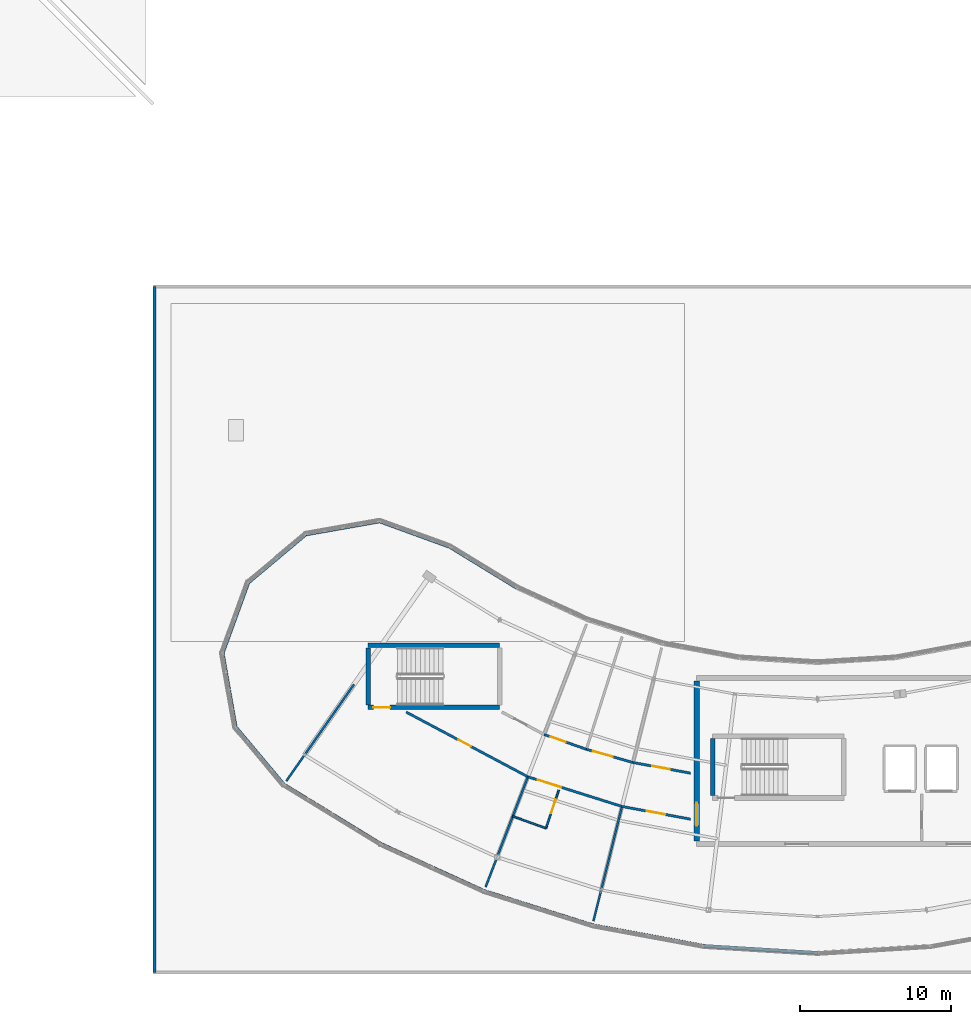
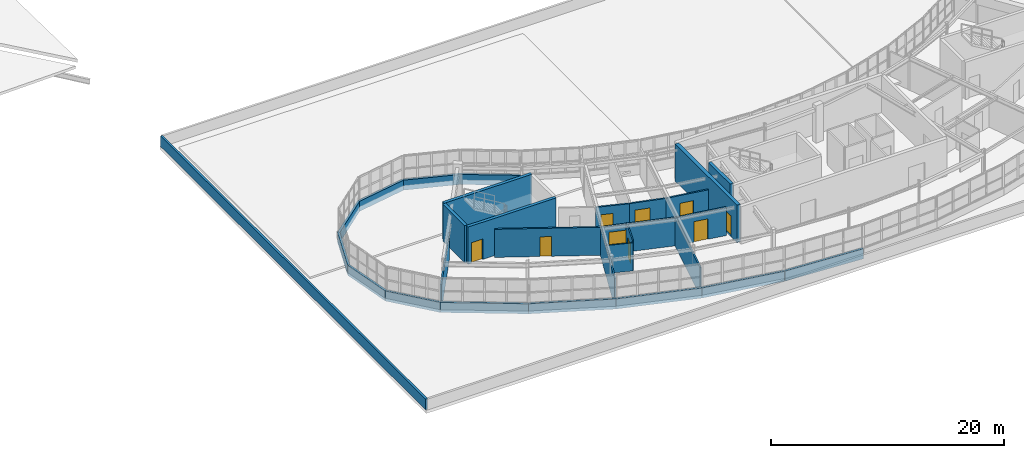
# One storey, part 101 of 128: 29 walls, 9 doors, 9 openings.
"""IFC4 building model written with IfcOpenShell, lengths in metres."""

from ifc_helpers import new_model, si_unit, direction, frame, frame_2d, origin, place, context, subcontext, project, spatial, rectangle, extrude, material, layer, layer_set, type_object, element, fill, save


model = new_model("IFC4")

# Units and contexts
model_context = context("Model", 3, precision=1e-05, world=origin(), true_north=direction((0.0, 1.0)))
body_context = subcontext(model_context, "Body", "Model", "MODEL_VIEW")
ifc_project = project(units=[si_unit("LENGTHUNIT", "METRE"), si_unit("AREAUNIT", "SQUARE_METRE"), si_unit("VOLUMEUNIT", "CUBIC_METRE"), si_unit("PLANEANGLEUNIT", "RADIAN"), si_unit("MASSUNIT", "GRAM", prefix="KILO")], contexts=[model_context])

# Site, building, storey
site_placement = place(None, origin())
site = spatial("IfcSite", under=ifc_project, at=site_placement, CompositionType="ELEMENT")
building_placement = place(site_placement, origin())
building = spatial("IfcBuilding", under=site, at=building_placement, Name="Tarnwether General Hospital", CompositionType="ELEMENT")
storey_placement = place(building_placement, frame((0.0, 0.0, 14.39990234375)))
storey = spatial("IfcBuildingStorey", under=building, at=storey_placement, Name="L03", CompositionType="ELEMENT", Elevation=14.39990234375)

# Walls
ifc_material_1 = material(Name="Streamlined white enamelled aluminium", Category="aluminium")
ifc_layer_1 = layer(ifc_material_1, 0.219970703125)
ifc_layer_set_1 = layer_set([ifc_layer_1], Name="Streamlined white enamelled aluminium")
wall_type_1 = type_object("IfcWallType", Name="WL-EX220", PredefinedType="STANDARD", material=ifc_layer_set_1)
wall_1_placement = place(storey_placement, frame((63.0810546875, 8.610107421875, 0.0), z_axis=(0.0, 0.0, 1.0), x_axis=(-0.852640903338, 0.522497358803, 0.0)))
element("IfcWall", 1, at=wall_1_placement, inside=storey, type_object=wall_type_1, Name="Ward SE Streamlined White Spandrel EW-L03-0155", PredefinedType="STANDARD", context=body_context, shape_type="SweptSolid", body=[
    extrude(rectangle(XDim=7.521484375, YDim=0.219970703125, at=frame_2d((3.7607421875, 0.0))), origin(), (0.0, 0.0, 1.0), 1.050048828125),
])
wall_2_placement = place(storey_placement, frame((69.925048828125, 5.490966796875, 0.0), z_axis=(0.0, 0.0, 1.0), x_axis=(-0.909953604353, 0.414710064895, 0.0)))
element("IfcWall", 2, at=wall_2_placement, inside=storey, type_object=wall_type_1, Name="Ward SE Streamlined White Spandrel EW-L03-0156", PredefinedType="STANDARD", context=body_context, shape_type="SweptSolid", body=[
    extrude(rectangle(XDim=7.521240234375, YDim=0.219970703125, at=frame_2d((3.7607421875, 0.0))), origin(), (0.0, 0.0, 1.0), 1.050048828125),
])
wall_3_placement = place(storey_placement, frame((77.097900390625, 3.22998046875, 0.0), z_axis=(0.0, 0.0, 1.0), x_axis=(-0.953740021466, 0.300632618747, 0.0)))
element("IfcWall", 3, at=wall_3_placement, inside=storey, type_object=wall_type_1, Name="Ward SE Streamlined White Spandrel EW-L03-0157", PredefinedType="STANDARD", context=body_context, shape_type="SweptSolid", body=[
    extrude(rectangle(XDim=7.520751953125, YDim=0.219970703125, at=frame_2d((3.76025390625, 0.0))), origin(), (0.0, 0.0, 1.0), 1.050048828125),
])
for number, where, z_axis, x_axis, name in (
    (4, (84.492919921875, 1.85888671875, 0.0), (0.0, 0.0, 1.0), (-0.983242805192, 0.18230081195, 0.0), "Ward SE Streamlined White Spandrel EW-L03-0158"),
    (5, (92.0, 1.39990234375, 0.0), (0.0, 0.0, 1.0), (-0.99813616181, 0.061026244242, 0.0), "Ward SE Streamlined White Spandrel EW-L03-0159"),
):
    element("IfcWall", number, at=place(storey_placement, frame(where, z_axis=z_axis, x_axis=x_axis)), inside=storey, type_object=wall_type_1, Name=name, PredefinedType="STANDARD", context=body_context, shape_type="SweptSolid", body=[
        extrude(rectangle(XDim=7.52099609375, YDim=0.219970703125, at=frame_2d((3.760498046875, 0.0))), origin(), (0.0, 0.0, 1.0), 1.050048828125),
    ])
wall_4_placement = place(storey_placement, frame((67.679931640625, 28.26806640625, 0.0), z_axis=(0.0, 0.0, 1.0), x_axis=(0.852628362135, -0.522517823698, 0.0)))
element("IfcWall", 6, at=wall_4_placement, inside=storey, type_object=wall_type_1, Name="Ward SE Streamlined White Spandrel EW-L03-0180", PredefinedType="STANDARD", context=body_context, shape_type="SweptSolid", body=[
    extrude(rectangle(XDim=5.177001953125, YDim=0.219970703125, at=frame_2d((2.58837890625, 0.0))), origin(), (0.0, 0.0, 1.0), 1.050048828125),
])
wall_5_placement = place(storey_placement, frame((63.010986328125, 29.968017578125, 0.0), z_axis=(0.0, 0.0, 1.0), x_axis=(0.939654190044, -0.34212571247, 0.0)))
element("IfcWall", 7, at=wall_5_placement, inside=storey, type_object=wall_type_1, Name="Ward SE Streamlined White Spandrel EW-L03-0181", PredefinedType="STANDARD", context=body_context, shape_type="SweptSolid", body=[
    extrude(rectangle(XDim=4.96875, YDim=0.219970703125, at=frame_2d((2.484375, 0.0))), origin(), (0.0, 0.0, 1.0), 1.050048828125),
])
wall_6_placement = place(storey_placement, frame((58.116943359375, 29.10498046875, 0.0), z_axis=(0.0, 0.0, 1.0), x_axis=(0.984804817938, 0.173664822479, 0.0)))
element("IfcWall", 8, at=wall_6_placement, inside=storey, type_object=wall_type_1, Name="Ward SE Streamlined White Spandrel EW-L03-0182", PredefinedType="STANDARD", context=body_context, shape_type="SweptSolid", body=[
    extrude(rectangle(XDim=4.969482421875, YDim=0.219970703125, at=frame_2d((2.48486328125, 0.0))), origin(), (0.0, 0.0, 1.0), 1.050048828125),
])
wall_7_placement = place(storey_placement, frame((54.31005859375, 25.909912109375, 0.0), z_axis=(0.0, 0.0, 1.0), x_axis=(0.765973821879, 0.642871763415, 0.0)))
element("IfcWall", 9, at=wall_7_placement, inside=storey, type_object=wall_type_1, Name="Ward SE Streamlined White Spandrel EW-L03-0183", PredefinedType="STANDARD", context=body_context, shape_type="SweptSolid", body=[
    extrude(rectangle(XDim=4.969970703125, YDim=0.219970703125, at=frame_2d((2.48486328125, 0.0))), origin(), (0.0, 0.0, 1.0), 1.050048828125),
])
wall_8_placement = place(storey_placement, frame((52.611083984375, 21.240966796875, 0.0), z_axis=(0.0, 0.0, 1.0), x_axis=(0.341952160632, 0.939717361678, 0.0)))
element("IfcWall", 10, at=wall_8_placement, inside=storey, type_object=wall_type_1, Name="Ward SE Streamlined White Spandrel EW-L03-0184", PredefinedType="STANDARD", context=body_context, shape_type="SweptSolid", body=[
    extrude(rectangle(XDim=4.968505859375, YDim=0.219970703125, at=frame_2d((2.484375, 0.0))), origin(), (0.0, 0.0, 1.0), 1.050048828125),
])
wall_9_placement = place(storey_placement, frame((53.472900390625, 16.346923828125, 0.0), z_axis=(0.0, 0.0, 1.0), x_axis=(-0.173426579259, 0.984846801085, 0.0)))
element("IfcWall", 11, at=wall_9_placement, inside=storey, type_object=wall_type_1, Name="Ward SE Streamlined White Spandrel EW-L03-0185", PredefinedType="STANDARD", context=body_context, shape_type="SweptSolid", body=[
    extrude(rectangle(XDim=4.96923828125, YDim=0.219970703125, at=frame_2d((2.484619140625, 0.0))), origin(), (0.0, 0.0, 1.0), 1.050048828125),
])
wall_10_placement = place(storey_placement, frame((56.66796875, 12.5400390625, 0.0), z_axis=(0.0, 0.0, 1.0), x_axis=(-0.642871763415, 0.765973821879, 0.0)))
element("IfcWall", 12, at=wall_10_placement, inside=storey, type_object=wall_type_1, Name="Ward SE Streamlined White Spandrel EW-L03-0186", PredefinedType="STANDARD", context=body_context, shape_type="SweptSolid", body=[
    extrude(rectangle(XDim=4.969970703125, YDim=0.219970703125, at=frame_2d((2.48486328125, 0.0))), origin(), (0.0, 0.0, 1.0), 1.050048828125),
])
ifc_material_2 = material(Name="Precast concrete 40 MPa", Category="concrete")
ifc_layer_2 = layer(ifc_material_2, 0.199951171875)
ifc_layer_set_2 = layer_set([ifc_layer_2], Name="Precast concrete 40 MPa")
wall_type_2 = type_object("IfcWallType", Name="WL-PR200", PredefinedType="PARAPET", material=ifc_layer_set_2)
wall_11_placement = place(storey_placement, frame((48.10009765625, 0.10009765625, 0.330078125), z_axis=(0.0, 0.0, 1.0), x_axis=(0.0, 1.0, 0.0)))
element("IfcWall", 13, at=wall_11_placement, inside=storey, type_object=wall_type_2, Name="Flat Roof Parapet EW-L03-0355", PredefinedType="PARAPET", context=body_context, shape_type="SweptSolid", body=[
    extrude(rectangle(XDim=45.39990234375, YDim=0.199951171875, at=frame_2d((22.699951171875, 0.0))), origin(), (0.0, 0.0, 1.0), 1.1201171875),
])

# Wall, opening, door
ifc_material_3 = material(Name="Gypsum plasterboard")
ifc_layer_3 = layer(ifc_material_3, 0.1201171875)
ifc_layer_set_3 = layer_set([ifc_layer_3], Name="Gypsum plasterboard")
wall_type_3 = type_object("IfcWallType", Name="WL-PT120", PredefinedType="PARTITIONING", material=ifc_layer_set_3)
wall_12_placement = place(storey_placement, frame((74.873046875, 12.16796875, 0.0), z_axis=(0.0, 0.0, 1.0), x_axis=(-0.319199781595, -0.947687448176, 0.0)))
wall_12 = element("IfcWall", 14, at=wall_12_placement, inside=storey, type_object=wall_type_3, Name="Interior Partition PT-L03-0333", PredefinedType="PARTITIONING", context=body_context, shape_type="SweptSolid", body=[
    extrude(rectangle(XDim=2.66015625, YDim=0.1201171875, at=frame_2d((1.330078125, 0.0))), origin(), (0.0, 0.0, 1.0), 3.189208984375),
])
opening_1_placement = place(wall_12_placement, frame((0.64990234375, 0.0, 0.0)))
opening_1 = element("IfcOpeningElement", 15, at=opening_1_placement, cuts=wall_12, Name="Opening D-10", PredefinedType="OPENING", context=body_context, shape_type="SweptSolid", body=[
    extrude(rectangle(XDim=0.9599609375, YDim=2.06005859375, at=frame_2d((0.47998046875, 1.030029296875))), frame((0.0, 0.070068359375, 0.0), z_axis=(0.0, -1.0, 0.0), x_axis=(1.0, 0.0, 0.0)), (0.0, 0.0, 1.0), 0.14013671875),
])
ifc_material_4 = material(Name="Anodised aluminium", Category="aluminium")
door_type_1 = type_object("IfcDoorType", Name="DR-IN10", OperationType="NOTDEFINED", PredefinedType="DOOR", material=ifc_material_4)
door_1_placement = place(opening_1_placement, origin())
door_1 = element("IfcDoor", 16, at=door_1_placement, inside=storey, type_object=door_type_1, Name="Interior Door DR-L03-0185", OperationType="SINGLE_SWING_LEFT", OverallHeight=2.06005859375, OverallWidth=0.9599609375, PredefinedType="DOOR", context=body_context, shape_type="SweptSolid", body=[
    extrude(rectangle(XDim=0.9599609375, YDim=2.06005859375, at=frame_2d((0.47998046875, 1.030029296875))), frame((0.0, 0.02490234375, 0.0), z_axis=(0.0, -1.0, 0.0), x_axis=(1.0, 0.0, 0.0)), (0.0, 0.0, 1.0), 0.050048828125),
])
fill(opening_1, door_1)

# Walls
wall_13_placement = place(storey_placement, frame((71.823974609375, 10.43896484375, 0.0), z_axis=(0.0, 0.0, 1.0), x_axis=(0.940886080788, -0.338723165695, 0.0)))
element("IfcWall", 17, at=wall_13_placement, inside=storey, type_object=wall_type_3, Name="Interior Partition PT-L03-0334", PredefinedType="PARTITIONING", context=body_context, shape_type="SweptSolid", body=[
    extrude(rectangle(XDim=2.338134765625, YDim=0.1201171875, at=frame_2d((1.1689453125, 0.0))), origin(), (0.0, 0.0, 1.0), 2.93310546875),
])
ifc_material_5 = material(Name="Gypsum plasterboard")
ifc_layer_4 = layer(ifc_material_5, 0.139892578125)
ifc_layer_set_4 = layer_set([ifc_layer_4], Name="Gypsum plasterboard")
wall_type_4 = type_object("IfcWallType", Name="WL-PT140", PredefinedType="PARTITIONING", material=ifc_layer_set_4)
wall_14_placement = place(storey_placement, frame((72.826904296875, 13.052978515625, 0.0), z_axis=(0.0, 0.0, 1.0), x_axis=(-0.358342954102, -0.933590020965, 0.0)))
element("IfcWall", 18, at=wall_14_placement, inside=storey, type_object=wall_type_4, Name="Interior Partition PT-L03-0330", PredefinedType="PARTITIONING", context=body_context, shape_type="SweptSolid", body=[
    extrude(rectangle(XDim=7.8193359375, YDim=0.139892578125, at=frame_2d((3.90966796875, 0.0))), origin(), (0.0, 0.0, 1.0), 2.93310546875),
])
wall_15_placement = place(storey_placement, frame((79.056884765625, 11.089111328125, 0.0), z_axis=(0.0, 0.0, 1.0), x_axis=(-0.241911207257, -0.970298391117, 0.0)))
element("IfcWall", 19, at=wall_15_placement, inside=storey, type_object=wall_type_4, Name="Interior Partition PT-L03-0336", PredefinedType="PARTITIONING", context=body_context, shape_type="SweptSolid", body=[
    extrude(rectangle(XDim=7.8203125, YDim=0.139892578125, at=frame_2d((3.91015625, 0.0))), origin(), (0.0, 0.0, 1.0), 2.93798828125),
])
wall_16_placement = place(storey_placement, frame((61.31396484375, 19.175048828125, 0.0), z_axis=(0.0, 0.0, 1.0), x_axis=(-0.573682336084, -0.819077882295, 0.0)))
element("IfcWall", 20, at=wall_16_placement, inside=storey, type_object=wall_type_4, Name="Interior Partition PT-L03-0352", PredefinedType="PARTITIONING", context=body_context, shape_type="SweptSolid", body=[
    extrude(rectangle(XDim=7.81982421875, YDim=0.139892578125, at=frame_2d((3.909912109375, 0.0))), origin(), (0.0, 0.0, 1.0), 2.64501953125),
])

# Wall, opening, door
ifc_material_6 = material(Name="Gypsum plasterboard")
ifc_layer_5 = layer(ifc_material_6, 0.159912109375)
ifc_layer_set_5 = layer_set([ifc_layer_5], Name="Gypsum plasterboard")
wall_type_5 = type_object("IfcWallType", Name="WL-PT160", PredefinedType="PARTITIONING", material=ifc_layer_set_5)
wall_17_placement = place(storey_placement, frame((64.764892578125, 17.340087890625, 0.0), z_axis=(0.0, 0.0, 1.0), x_axis=(0.882926631997, -0.469510982311, 0.0)))
wall_17 = element("IfcWall", 21, at=wall_17_placement, inside=storey, type_object=wall_type_5, Name="Interior Partition PT-L03-0329", PredefinedType="PARTITIONING", context=body_context, shape_type="SweptSolid", body=[
    extrude(rectangle(XDim=9.131103515625, YDim=0.159912109375, at=frame_2d((4.5654296875, 0.0))), origin(), (0.0, 0.0, 1.0), 2.93310546875),
])
opening_2_placement = place(wall_17_placement, frame((3.916015625, 0.0, 0.0)))
opening_2 = element("IfcOpeningElement", 22, at=opening_2_placement, cuts=wall_17, Name="Opening D-10", PredefinedType="OPENING", context=body_context, shape_type="SweptSolid", body=[
    extrude(rectangle(XDim=0.9599609375, YDim=2.06005859375, at=frame_2d((0.47998046875, 1.030029296875))), frame((0.0, 0.08984375, 0.0), z_axis=(0.0, -1.0, 0.0), x_axis=(1.0, 0.0, 0.0)), (0.0, 0.0, 1.0), 0.179931640625),
])
door_2_placement = place(opening_2_placement, origin())
door_2 = element("IfcDoor", 23, at=door_2_placement, inside=storey, type_object=door_type_1, Name="Interior Door DR-L03-0183", OperationType="SINGLE_SWING_LEFT", OverallHeight=2.06005859375, OverallWidth=0.9599609375, PredefinedType="DOOR", context=body_context, shape_type="SweptSolid", body=[
    extrude(rectangle(XDim=0.9599609375, YDim=2.06005859375, at=frame_2d((0.47998046875, 1.030029296875))), frame((0.0, 0.02490234375, 0.0), z_axis=(0.0, -1.0, 0.0), x_axis=(1.0, 0.0, 0.0)), (0.0, 0.0, 1.0), 0.050048828125),
])
fill(opening_2, door_2)

wall_18_placement = place(storey_placement, frame((72.826904296875, 13.052978515625, 0.0), z_axis=(0.0, 0.0, 1.0), x_axis=(0.953736183483, -0.30064479426, 0.0)))
wall_18 = element("IfcWall", 24, at=wall_18_placement, inside=storey, type_object=wall_type_5, Name="Interior Partition PT-L03-0335", PredefinedType="PARTITIONING", context=body_context, shape_type="SweptSolid", body=[
    extrude(rectangle(XDim=6.5322265625, YDim=0.159912109375, at=frame_2d((3.26611328125, 0.0))), origin(), (0.0, 0.0, 1.0), 2.93310546875),
])
opening_3_placement = place(wall_18_placement, frame((0.676025390625, 0.0, 0.0)))
opening_3 = element("IfcOpeningElement", 25, at=opening_3_placement, cuts=wall_18, Name="Opening SD-02", PredefinedType="OPENING", context=body_context, shape_type="SweptSolid", body=[
    extrude(rectangle(XDim=1.6201171875, YDim=2.300048828125, at=frame_2d((0.81005859375, 1.14990234375))), frame((0.0, 0.08984375, 0.0), z_axis=(0.0, -1.0, 0.0), x_axis=(1.0, 0.0, 0.0)), (0.0, 0.0, 1.0), 0.179931640625),
])
ifc_material_7 = material(Name="Anodised aluminium", Category="aluminium")
door_type_2 = type_object("IfcDoorType", Name="DR-OR02", OperationType="NOTDEFINED", PredefinedType="DOOR", material=ifc_material_7)
door_3_placement = place(opening_3_placement, origin())
door_3 = element("IfcDoor", 26, at=door_3_placement, inside=storey, type_object=door_type_2, Name="Interior Door DR-L03-0186", OperationType="SLIDING_TO_RIGHT", OverallHeight=2.300048828125, OverallWidth=1.6201171875, PredefinedType="DOOR", context=body_context, shape_type="SweptSolid", body=[
    extrude(rectangle(XDim=1.6201171875, YDim=2.300048828125, at=frame_2d((0.81005859375, 1.14990234375))), frame((0.0, 0.02490234375, 0.0), z_axis=(0.0, -1.0, 0.0), x_axis=(1.0, 0.0, 0.0)), (0.0, 0.0, 1.0), 0.050048828125),
])
fill(opening_3, door_3)

wall_19_placement = place(storey_placement, frame((73.902099609375, 15.85400390625, 0.0), z_axis=(0.0, 0.0, 1.0), x_axis=(0.943776070457, -0.330585433485, 0.0)))
wall_19 = element("IfcWall", 27, at=wall_19_placement, inside=storey, type_object=wall_type_5, Name="Interior Partition PT-L03-0338", PredefinedType="PARTITIONING", context=body_context, shape_type="SweptSolid", body=[
    extrude(rectangle(XDim=2.96142578125, YDim=0.159912109375, at=frame_2d((1.480712890625, 0.0))), origin(), (0.0, 0.0, 1.0), 2.93310546875),
])
opening_4_placement = place(wall_19_placement, frame((0.449951171875, 0.0, 0.0)))
opening_4 = element("IfcOpeningElement", 28, at=opening_4_placement, cuts=wall_19, Name="Opening D-08", PredefinedType="OPENING", context=body_context, shape_type="SweptSolid", body=[
    extrude(rectangle(XDim=1.06005859375, YDim=2.10009765625, at=frame_2d((0.530029296875, 1.050048828125))), frame((0.0, 0.08984375, 0.0), z_axis=(0.0, -1.0, 0.0), x_axis=(1.0, 0.0, 0.0)), (0.0, 0.0, 1.0), 0.179931640625),
])
ifc_material_8 = material(Name="Anodised aluminium", Category="aluminium")
door_type_3 = type_object("IfcDoorType", Name="DR-IN08", OperationType="NOTDEFINED", PredefinedType="DOOR", material=ifc_material_8)
door_4_placement = place(opening_4_placement, origin())
door_4 = element("IfcDoor", 29, at=door_4_placement, inside=storey, type_object=door_type_3, Name="Interior Door DR-L03-0187", OperationType="SINGLE_SWING_LEFT", OverallHeight=2.10009765625, OverallWidth=1.06005859375, PredefinedType="DOOR", context=body_context, shape_type="SweptSolid", body=[
    extrude(rectangle(XDim=1.06005859375, YDim=2.10009765625, at=frame_2d((0.530029296875, 1.050048828125))), frame((0.0, 0.02490234375, 0.0), z_axis=(0.0, -1.0, 0.0), x_axis=(1.0, 0.0, 0.0)), (0.0, 0.0, 1.0), 0.050048828125),
])
fill(opening_4, door_4)

wall_20_placement = place(storey_placement, frame((76.697021484375, 14.875, 0.0), z_axis=(0.0, 0.0, 1.0), x_axis=(0.962073473599, -0.272790453274, 0.0)))
wall_20 = element("IfcWall", 30, at=wall_20_placement, inside=storey, type_object=wall_type_5, Name="Interior Partition PT-L03-0339", PredefinedType="PARTITIONING", context=body_context, shape_type="SweptSolid", body=[
    extrude(rectangle(XDim=3.20751953125, YDim=0.159912109375, at=frame_2d((1.603759765625, 0.0))), origin(), (0.0, 0.0, 1.0), 2.93798828125),
])
opening_5_placement = place(wall_20_placement, frame((0.449951171875, 0.0, 0.0)))
opening_5 = element("IfcOpeningElement", 31, at=opening_5_placement, cuts=wall_20, Name="Opening D-02", PredefinedType="OPENING", context=body_context, shape_type="SweptSolid", body=[
    extrude(rectangle(XDim=1.360107421875, YDim=2.179931640625, at=frame_2d((0.68017578125, 1.08984375))), frame((0.0, 0.08984375, 0.0), z_axis=(0.0, -1.0, 0.0), x_axis=(1.0, 0.0, 0.0)), (0.0, 0.0, 1.0), 0.179931640625),
])
ifc_material_9 = material(Name="Anodised aluminium", Category="aluminium")
door_type_4 = type_object("IfcDoorType", Name="DR-IN02", OperationType="NOTDEFINED", PredefinedType="DOOR", material=ifc_material_9)
door_5_placement = place(opening_5_placement, origin())
door_5 = element("IfcDoor", 32, at=door_5_placement, inside=storey, type_object=door_type_4, Name="Interior Door DR-L03-0188", OperationType="SINGLE_SWING_RIGHT", OverallHeight=2.179931640625, OverallWidth=1.360107421875, PredefinedType="DOOR", context=body_context, shape_type="SweptSolid", body=[
    extrude(rectangle(XDim=1.360107421875, YDim=2.179931640625, at=frame_2d((0.68017578125, 1.08984375))), frame((0.0, 0.02490234375, 0.0), z_axis=(0.0, -1.0, 0.0), x_axis=(1.0, 0.0, 0.0)), (0.0, 0.0, 1.0), 0.050048828125),
])
fill(opening_5, door_5)

wall_21_placement = place(storey_placement, frame((79.056884765625, 11.089111328125, 0.0), z_axis=(0.0, 0.0, 1.0), x_axis=(0.983258469263, -0.182216307235, 0.0)))
wall_21 = element("IfcWall", 33, at=wall_21_placement, inside=storey, type_object=wall_type_5, Name="Interior Partition PT-L03-0341", PredefinedType="PARTITIONING", context=body_context, shape_type="SweptSolid", body=[
    extrude(rectangle(XDim=4.6103515625, YDim=0.159912109375, at=frame_2d((2.30517578125, 0.0))), origin(), (0.0, 0.0, 1.0), 2.93798828125),
])
opening_6_placement = place(wall_21_placement, frame((1.655029296875, 0.0, 0.0)))
opening_6 = element("IfcOpeningElement", 34, at=opening_6_placement, cuts=wall_21, Name="Opening D-04", PredefinedType="OPENING", context=body_context, shape_type="SweptSolid", body=[
    extrude(rectangle(XDim=1.260009765625, YDim=2.139892578125, at=frame_2d((0.6298828125, 1.06982421875))), frame((0.0, 0.08984375, 0.0), z_axis=(0.0, -1.0, 0.0), x_axis=(1.0, 0.0, 0.0)), (0.0, 0.0, 1.0), 0.179931640625),
])
ifc_material_10 = material(Name="Anodised aluminium", Category="aluminium")
door_type_5 = type_object("IfcDoorType", Name="DR-IN04", OperationType="NOTDEFINED", PredefinedType="DOOR", material=ifc_material_10)
door_6_placement = place(opening_6_placement, origin())
door_6 = element("IfcDoor", 35, at=door_6_placement, inside=storey, type_object=door_type_5, Name="Interior Door DR-L03-0189", OperationType="SINGLE_SWING_LEFT", OverallHeight=2.139892578125, OverallWidth=1.260009765625, PredefinedType="DOOR", context=body_context, shape_type="SweptSolid", body=[
    extrude(rectangle(XDim=1.260009765625, YDim=2.139892578125, at=frame_2d((0.6298828125, 1.06982421875))), frame((0.0, 0.02490234375, 0.0), z_axis=(0.0, -1.0, 0.0), x_axis=(1.0, 0.0, 0.0)), (0.0, 0.0, 1.0), 0.050048828125),
])
fill(opening_6, door_6)

wall_22_placement = place(storey_placement, frame((79.782958984375, 14.0, 0.0), z_axis=(0.0, 0.0, 1.0), x_axis=(0.983234305922, -0.182346646962, 0.0)))
wall_22 = element("IfcWall", 36, at=wall_22_placement, inside=storey, type_object=wall_type_5, Name="Interior Partition PT-L03-0342", PredefinedType="PARTITIONING", context=body_context, shape_type="SweptSolid", body=[
    extrude(rectangle(XDim=3.8720703125, YDim=0.159912109375, at=frame_2d((1.93603515625, 0.0))), origin(), (0.0, 0.0, 1.0), 2.93798828125),
])
opening_7_placement = place(wall_22_placement, frame((1.285888671875, 0.0, 0.0)))
opening_7 = element("IfcOpeningElement", 37, at=opening_7_placement, cuts=wall_22, Name="Opening D-05", PredefinedType="OPENING", context=body_context, shape_type="SweptSolid", body=[
    extrude(rectangle(XDim=1.199951171875, YDim=2.1201171875, at=frame_2d((0.60009765625, 1.06005859375))), frame((0.0, 0.08984375, 0.0), z_axis=(0.0, -1.0, 0.0), x_axis=(1.0, 0.0, 0.0)), (0.0, 0.0, 1.0), 0.179931640625),
])
ifc_material_11 = material(Name="Anodised aluminium", Category="aluminium")
door_type_6 = type_object("IfcDoorType", Name="DR-IN05", OperationType="NOTDEFINED", PredefinedType="DOOR", material=ifc_material_11)
door_7_placement = place(opening_7_placement, origin())
door_7 = element("IfcDoor", 38, at=door_7_placement, inside=storey, type_object=door_type_6, Name="Interior Door DR-L03-0190", OperationType="SINGLE_SWING_RIGHT", OverallHeight=2.1201171875, OverallWidth=1.199951171875, PredefinedType="DOOR", context=body_context, shape_type="SweptSolid", body=[
    extrude(rectangle(XDim=1.199951171875, YDim=2.1201171875, at=frame_2d((0.60009765625, 1.06005859375))), frame((0.0, 0.02490234375, 0.0), z_axis=(0.0, -1.0, 0.0), x_axis=(1.0, 0.0, 0.0)), (0.0, 0.0, 1.0), 0.050048828125),
])
fill(opening_7, door_7)

# Wall
ifc_material_12 = material(Name="Concrete 50 MPa", Category="concrete")
ifc_layer_6 = layer(ifc_material_12, 0.300048828125)
ifc_layer_set_6 = layer_set([ifc_layer_6], Name="Concrete 50 MPa")
wall_type_6 = type_object("IfcWallType", Name="WL-SW300", PredefinedType="SHEAR", material=ifc_layer_set_6)
wall_23_placement = place(storey_placement, frame((85.050048828125, 11.820068359375, 0.0), z_axis=(0.0, 0.0, 1.0), x_axis=(0.0, 1.0, 0.0)))
element("IfcWall", 39, at=wall_23_placement, inside=storey, type_object=wall_type_6, Name="Stairwell Shear Wall STW-ST-02-L03-L", PredefinedType="SHEAR", context=body_context, shape_type="SweptSolid", body=[
    extrude(rectangle(XDim=3.760009765625, YDim=0.300048828125, at=frame_2d((1.8798828125, 0.0))), origin(), (0.0, 0.0, 1.0), 3.900146484375),
])

# Wall, opening, door
wall_24_placement = place(storey_placement, frame((62.25, 17.64990234375, 0.0), z_axis=(0.0, 0.0, 1.0), x_axis=(1.0, 0.0, 0.0)))
wall_24 = element("IfcWall", 40, at=wall_24_placement, inside=storey, type_object=wall_type_6, Name="Stairwell Shear Wall STW-ST-09-L03-B", PredefinedType="SHEAR", context=body_context, shape_type="SweptSolid", body=[
    extrude(rectangle(XDim=8.699951171875, YDim=0.300048828125, at=frame_2d((4.35009765625, 0.0))), origin(), (0.0, 0.0, 1.0), 3.900146484375),
])
opening_8_placement = place(wall_24_placement, frame((0.35009765625, 0.0, 0.0)))
opening_8 = element("IfcOpeningElement", 41, at=opening_8_placement, cuts=wall_24, Name="Opening FD-06", PredefinedType="OPENING", context=body_context, shape_type="SweptSolid", body=[
    extrude(rectangle(XDim=1.10009765625, YDim=2.14990234375, at=frame_2d((0.550048828125, 1.074951171875))), frame((0.0, 0.16015625, 0.0), z_axis=(0.0, -1.0, 0.0), x_axis=(1.0, 0.0, 0.0)), (0.0, 0.0, 1.0), 0.320068359375),
])
ifc_material_13 = material(Name="Anodised aluminium", Category="aluminium")
door_type_7 = type_object("IfcDoorType", Name="DR-FD06", OperationType="NOTDEFINED", PredefinedType="DOOR", material=ifc_material_13)
door_8_placement = place(opening_8_placement, origin())
door_8 = element("IfcDoor", 42, at=door_8_placement, inside=storey, type_object=door_type_7, Name="Stairwell ST-09 Safe-Path Fire Door L03", OperationType="SINGLE_SWING_RIGHT", OverallHeight=2.14990234375, OverallWidth=1.10009765625, PredefinedType="DOOR", context=body_context, shape_type="SweptSolid", body=[
    extrude(rectangle(XDim=1.10009765625, YDim=2.14990234375, at=frame_2d((0.550048828125, 1.074951171875))), frame((0.0, 0.02490234375, 0.0), z_axis=(0.0, -1.0, 0.0), x_axis=(1.0, 0.0, 0.0)), (0.0, 0.0, 1.0), 0.050048828125),
])
fill(opening_8, door_8)

# Walls
wall_25_placement = place(storey_placement, frame((70.949951171875, 21.75, 0.0), z_axis=(0.0, 0.0, 1.0), x_axis=(-1.0, 0.0, 0.0)))
element("IfcWall", 43, at=wall_25_placement, inside=storey, type_object=wall_type_6, Name="Stairwell Shear Wall STW-ST-09-L03-N", PredefinedType="SHEAR", context=body_context, shape_type="SweptSolid", body=[
    extrude(rectangle(XDim=8.699951171875, YDim=0.300048828125, at=frame_2d((4.35009765625, 0.0))), origin(), (0.0, 0.0, 1.0), 3.900146484375),
])
wall_26_placement = place(storey_placement, frame((62.25, 17.820068359375, 0.0), z_axis=(0.0, 0.0, 1.0), x_axis=(0.0, 1.0, 0.0)))
element("IfcWall", 44, at=wall_26_placement, inside=storey, type_object=wall_type_6, Name="Stairwell Shear Wall STW-ST-09-L03-L", PredefinedType="SHEAR", context=body_context, shape_type="SweptSolid", body=[
    extrude(rectangle(XDim=3.760009765625, YDim=0.300048828125, at=frame_2d((1.8798828125, 0.0))), origin(), (0.0, 0.0, 1.0), 3.900146484375),
])

# Wall, opening, door
ifc_material_14 = material(Name="Concrete 50 MPa", Category="concrete")
ifc_layer_7 = layer(ifc_material_14, 0.35009765625)
ifc_layer_set_7 = layer_set([ifc_layer_7], Name="Concrete 50 MPa")
wall_type_7 = type_object("IfcWallType", Name="WL-SW350", PredefinedType="SHEAR", material=ifc_layer_set_7)
wall_27_placement = place(storey_placement, frame((84.0, 8.800048828125, 0.0), z_axis=(0.0, 0.0, 1.0), x_axis=(0.0, 1.0, 0.0)))
wall_27 = element("IfcWall", 45, at=wall_27_placement, inside=storey, type_object=wall_type_7, Name="Core Shear Wall CWALL-K2-L03-W", PredefinedType="SHEAR", context=body_context, shape_type="SweptSolid", body=[
    extrude(rectangle(XDim=10.599853515625, YDim=0.35009765625, at=frame_2d((5.2998046875, 0.0))), origin(), (0.0, 0.0, 1.0), 3.900146484375),
])
opening_9_placement = place(wall_27_placement, frame((1.0, 0.0, 0.0)))
opening_9 = element("IfcOpeningElement", 46, at=opening_9_placement, cuts=wall_27, Name="Opening FD-02", PredefinedType="OPENING", context=body_context, shape_type="SweptSolid", body=[
    extrude(rectangle(XDim=1.52001953125, YDim=2.159912109375, at=frame_2d((0.760009765625, 1.080078125))), frame((0.0, 0.18505859375, 0.0), z_axis=(0.0, -1.0, 0.0), x_axis=(1.0, 0.0, 0.0)), (0.0, 0.0, 1.0), 0.3701171875),
])
ifc_material_15 = material(Name="Anodised aluminium", Category="aluminium")
door_type_8 = type_object("IfcDoorType", Name="DR-FD02", OperationType="NOTDEFINED", PredefinedType="DOOR", material=ifc_material_15)
door_9_placement = place(opening_9_placement, origin())
door_9 = element("IfcDoor", 47, at=door_9_placement, inside=storey, type_object=door_type_8, Name="Core K2 Ward Corridor Fire Door L03", OperationType="SINGLE_SWING_RIGHT", OverallHeight=2.159912109375, OverallWidth=1.52001953125, PredefinedType="DOOR", context=body_context, shape_type="SweptSolid", body=[
    extrude(rectangle(XDim=1.52001953125, YDim=2.159912109375, at=frame_2d((0.760009765625, 1.080078125))), frame((0.0, 0.02490234375, 0.0), z_axis=(0.0, -1.0, 0.0), x_axis=(1.0, 0.0, 0.0)), (0.0, 0.0, 1.0), 0.050048828125),
])
fill(opening_9, door_9)

save(model, "model.ifc")
